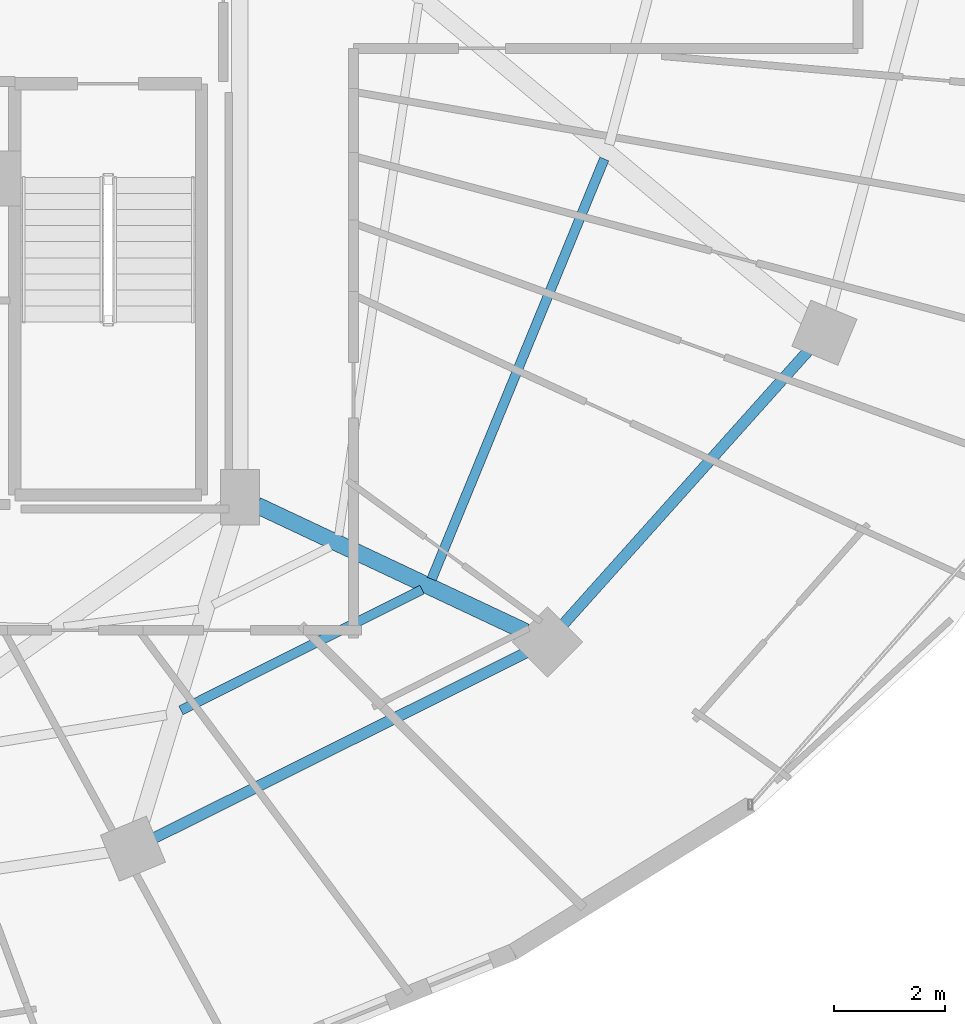
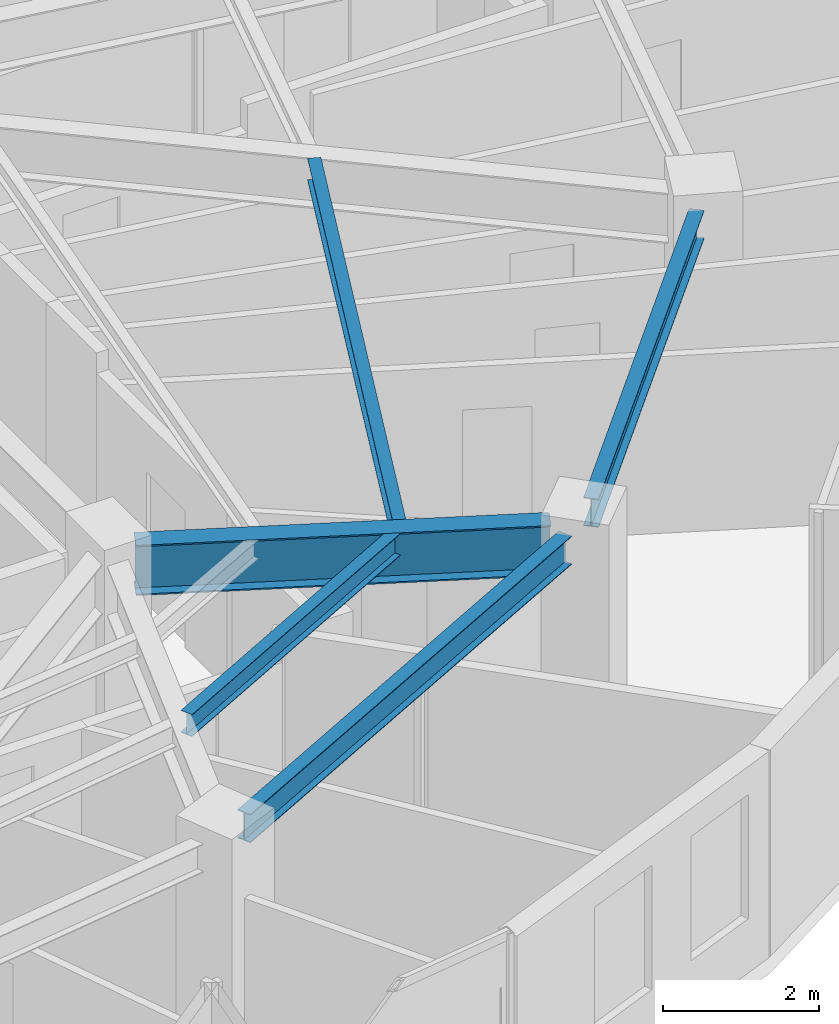
# One storey, part 12 of 34: 5 beams.
"""IFC4 building model written with IfcOpenShell, lengths in metres."""

from ifc_helpers import new_model, si_unit, direction, frame, origin, origin_2d, place, context, subcontext, project, spatial, i_section, extrude, material, material_profile, profile_set, type_object, element, save


model = new_model("IFC4")

# Units and contexts
model_context = context("Model", 3, precision=1e-05, world=origin(), true_north=direction((0.0, 1.0)))
body_context = subcontext(model_context, "Body", "Model", "MODEL_VIEW")
ifc_project = project(units=[si_unit("LENGTHUNIT", "METRE"), si_unit("AREAUNIT", "SQUARE_METRE"), si_unit("VOLUMEUNIT", "CUBIC_METRE"), si_unit("PLANEANGLEUNIT", "RADIAN"), si_unit("MASSUNIT", "GRAM", prefix="KILO")], contexts=[model_context])

# Site, building, storey
site_placement = place(None, origin())
site = spatial("IfcSite", under=ifc_project, at=site_placement, CompositionType="ELEMENT")
building_placement = place(site_placement, origin())
building = spatial("IfcBuilding", under=site, at=building_placement, Name="Vorneva Point Tower", CompositionType="ELEMENT")
storey_placement = place(building_placement, frame((0.0, 0.0, 182.60009765625)))
storey = spatial("IfcBuildingStorey", under=building, at=storey_placement, Name="L49", CompositionType="ELEMENT", Elevation=182.60009765625)

# Beams
ifc_material = material(Name="Steel S355", Category="steel")
ifc_material_profile_1 = material_profile(ifc_material, i_section(OverallWidth=0.300048828125, OverallDepth=0.7880859375, WebThickness=0.014404296875, FlangeThickness=0.02197265625, at=origin_2d()), Name="80Sh1")
ifc_profile_set_1 = profile_set([ifc_material_profile_1], Name="Steel S355")
beam_type_1 = type_object("IfcBeamType", Name="BM-GRD-80Sh1", PredefinedType="USERDEFINED", material=ifc_profile_set_1)
beam_1_placement = place(storey_placement, frame((53.902587890625, 14.0244140625, 2.845947265625), z_axis=(-0.904762899762, 0.42591559635, 0.0), x_axis=(-0.42591559635, -0.904762899762, 0.0)))
element("IfcBeam", 1, at=beam_1_placement, inside=storey, type_object=beam_type_1, Name="L49 Radial Primary Girder 15", ObjectType="GIRDER", PredefinedType="USERDEFINED", context=body_context, shape_type="SweptSolid", body=[
    extrude(i_section(OverallWidth=0.300048828125, OverallDepth=0.7880859375, WebThickness=0.014404296875, FlangeThickness=0.02197265625, at=origin_2d()), origin(), (0.0, 0.0, 1.0), 5.35498046875),
])
ifc_material_profile_2 = material_profile(ifc_material, i_section(OverallWidth=0.174072265625, OverallDepth=0.345947265625, WebThickness=0.006103515625, FlangeThickness=0.009033203125, at=origin_2d()), Name="35B1")
ifc_profile_set_2 = profile_set([ifc_material_profile_2], Name="Steel S355")
beam_type_2 = type_object("IfcBeamType", Name="BM-SEC-35B1", PredefinedType="BEAM", material=ifc_profile_set_2)
beam_2_placement = place(storey_placement, frame((47.684814453125, 12.604736328125, 3.06689453125), z_axis=(0.89410580889, 0.44785578316, 0.0), x_axis=(-0.44785578316, 0.89410580889, 0.0)))
element("IfcBeam", 2, at=beam_2_placement, inside=storey, type_object=beam_type_2, Name="L49 Secondary Floor Beam 1.14", PredefinedType="BEAM", context=body_context, shape_type="SweptSolid", body=[
    extrude(i_section(OverallWidth=0.174072265625, OverallDepth=0.345947265625, WebThickness=0.006103515625, FlangeThickness=0.009033203125, at=origin_2d()), origin(), (0.0, 0.0, 1.0), 4.865234375),
])
beam_3_placement = place(storey_placement, frame((52.210693359375, 14.97314453125, 3.06689453125), z_axis=(0.380070895396, 0.924957358192, 0.0), x_axis=(-0.924957358192, 0.380070895396, 0.0)))
element("IfcBeam", 3, at=beam_3_placement, inside=storey, type_object=beam_type_2, Name="L49 Secondary Floor Beam 1.15", PredefinedType="BEAM", context=body_context, shape_type="SweptSolid", body=[
    extrude(i_section(OverallWidth=0.174072265625, OverallDepth=0.345947265625, WebThickness=0.006103515625, FlangeThickness=0.009033203125, at=origin_2d()), origin(), (0.0, 0.0, 1.0), 8.194580078125),
])
ifc_material_profile_3 = material_profile(ifc_material, i_section(OverallWidth=0.198974609375, OverallDepth=0.446044921875, WebThickness=0.008056640625, FlangeThickness=0.011962890625, at=origin_2d()), Name="45B1")
ifc_profile_set_3 = profile_set([ifc_material_profile_3], Name="Steel S355")
beam_type_3 = type_object("IfcBeamType", Name="BM-SPN-45B1", PredefinedType="SPANDREL", material=ifc_profile_set_3)
beam_4_placement = place(storey_placement, frame((47.210205078125, 10.303466796875, 3.016845703125), z_axis=(0.894922371084, 0.446221861559, 0.0), x_axis=(-0.446221861559, 0.894922371084, 0.0)))
element("IfcBeam", 4, at=beam_4_placement, inside=storey, type_object=beam_type_3, Name="L49 Perimeter Spandrel Ring Beam 14", PredefinedType="SPANDREL", context=body_context, shape_type="SweptSolid", body=[
    extrude(i_section(OverallWidth=0.198974609375, OverallDepth=0.446044921875, WebThickness=0.008056640625, FlangeThickness=0.011962890625, at=origin_2d()), origin(), (0.0, 0.0, 1.0), 7.48583984375),
])
beam_5_placement = place(storey_placement, frame((54.589111328125, 14.161865234375, 3.016845703125), z_axis=(0.66706970547, 0.744995307397, 0.0), x_axis=(-0.744995307397, 0.66706970547, 0.0)))
element("IfcBeam", 5, at=beam_5_placement, inside=storey, type_object=beam_type_3, Name="L49 Perimeter Spandrel Ring Beam 15", PredefinedType="SPANDREL", context=body_context, shape_type="SweptSolid", body=[
    extrude(i_section(OverallWidth=0.198974609375, OverallDepth=0.446044921875, WebThickness=0.008056640625, FlangeThickness=0.011962890625, at=origin_2d()), origin(), (0.0, 0.0, 1.0), 6.6201171875),
])

save(model, "model.ifc")
